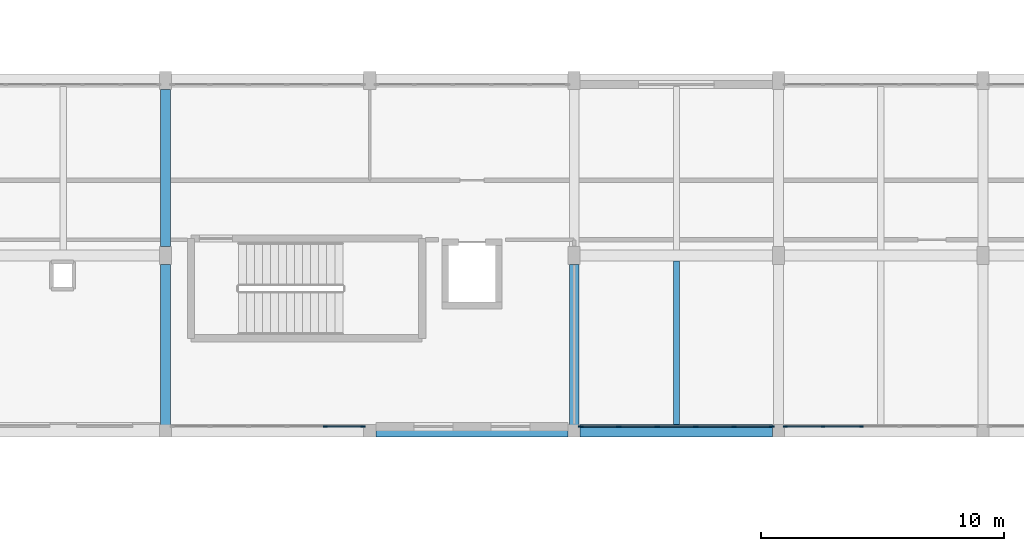
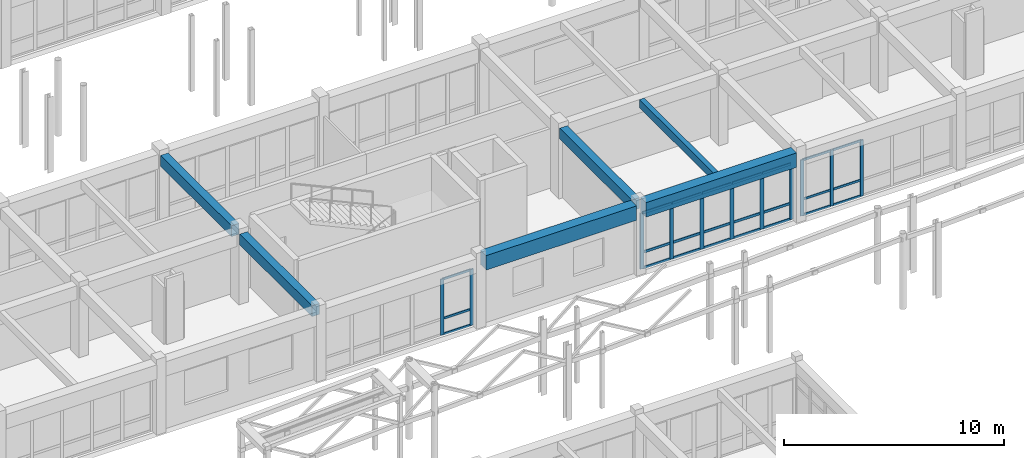
# One storey, part 39 of 147: 35 members, 6 beams, 3 elements without a shape of their own.
"""IFC4 building model written with IfcOpenShell, lengths in metres."""

from ifc_helpers import new_model, si_unit, direction, frame, origin, origin_2d, place, context, subcontext, project, spatial, rectangle, extrude, material, material_profile, profile_set, type_object, element, aggregate, save


model = new_model("IFC4")

# Units and contexts
model_context = context("Model", 3, precision=1e-05, world=origin(), true_north=direction((0.0, 1.0)))
body_context = subcontext(model_context, "Body", "Model", "MODEL_VIEW")
ifc_project = project(units=[si_unit("LENGTHUNIT", "METRE"), si_unit("AREAUNIT", "SQUARE_METRE"), si_unit("VOLUMEUNIT", "CUBIC_METRE"), si_unit("PLANEANGLEUNIT", "RADIAN"), si_unit("MASSUNIT", "GRAM", prefix="KILO")], contexts=[model_context])

# Site, building, storey
site_placement = place(None, origin())
site = spatial("IfcSite", under=ifc_project, at=site_placement, CompositionType="ELEMENT")
building_placement = place(site_placement, origin())
building = spatial("IfcBuilding", under=site, at=building_placement, Name="Malvenik Polytechnic", CompositionType="ELEMENT")
storey_placement = place(building_placement, frame((0.0, 0.0, 5.10009765625)))
storey = spatial("IfcBuildingStorey", under=building, at=storey_placement, Name="L01", CompositionType="ELEMENT", Elevation=5.10009765625)

# Curtain wall, members
ifc_material_1 = material(Name="Anodised aluminium 6060-T6", Category="aluminium")
curtain_wall_type = type_object("IfcCurtainWallType", Name="ARC-CW-CW-02", PredefinedType="NOTDEFINED", material=ifc_material_1)
curtain_wall_1_placement = place(storey_placement, origin())
curtain_wall_1 = element("IfcCurtainWall", 1, at=curtain_wall_1_placement, inside=storey, type_object=curtain_wall_type, Name="Unitised Curtain Wall CW-02 L01 #119", PredefinedType="NOTDEFINED")
ifc_material_2 = material(Name="Anodised aluminium", Category="aluminium")
ifc_material_profile_1 = material_profile(ifc_material_2, rectangle(XDim=0.06005859375, YDim=0.159912109375, at=origin_2d()), Name="ALU MULLION 60x160")
ifc_profile_set_1 = profile_set([ifc_material_profile_1], Name="Anodised aluminium")
member_type_1 = type_object("IfcMemberType", Name="ARC-CWM-160", PredefinedType="MULLION", material=ifc_profile_set_1)
member_1_placement = place(storey_placement, frame((62.209716796875, 50.570068359375, 0.0), z_axis=(0.0, 0.0, 1.0), x_axis=(0.0, -1.0, 0.0)))
member_1 = element("IfcMember", 2, at=member_1_placement, type_object=member_type_1, Name="CW-02 mullion 4", PredefinedType="MULLION", context=body_context, shape_type="SweptSolid", body=[
    extrude(rectangle(XDim=0.06005859375, YDim=0.159912109375, at=origin_2d()), origin(), (0.0, 0.0, 1.0), 3.10986328125),
])
member_2_placement = place(storey_placement, frame((60.62890625, 50.570068359375, 0.0), z_axis=(0.0, 0.0, 1.0), x_axis=(0.0, -1.0, 0.0)))
member_2 = element("IfcMember", 3, at=member_2_placement, type_object=member_type_1, Name="CW-02 mullion 5", PredefinedType="MULLION", context=body_context, shape_type="SweptSolid", body=[
    extrude(rectangle(XDim=0.06005859375, YDim=0.159912109375, at=origin_2d()), origin(), (0.0, 0.0, 1.0), 3.10986328125),
])
member_3_placement = place(storey_placement, frame((59.077880859375, 50.570068359375, 0.0), z_axis=(0.0, 0.0, 1.0), x_axis=(0.0, -1.0, 0.0)))
member_3 = element("IfcMember", 4, at=member_3_placement, type_object=member_type_1, Name="CW-02 mullion 6", PredefinedType="MULLION", context=body_context, shape_type="SweptSolid", body=[
    extrude(rectangle(XDim=0.06005859375, YDim=0.159912109375, at=origin_2d()), origin(), (0.0, 0.0, 1.0), 3.10986328125),
])

curtain_wall_2_placement = place(storey_placement, origin())
curtain_wall_2 = element("IfcCurtainWall", 5, at=curtain_wall_2_placement, inside=storey, type_object=curtain_wall_type, Name="Unitised Curtain Wall CW-02 L01 #121", PredefinedType="NOTDEFINED")
ifc_material_profile_2 = material_profile(ifc_material_2, rectangle(XDim=0.06005859375, YDim=0.179931640625, at=origin_2d()), Name="ALU MULLION 60x180")
ifc_profile_set_2 = profile_set([ifc_material_profile_2], Name="Anodised aluminium")
member_type_2 = type_object("IfcMemberType", Name="ARC-CWM-180", PredefinedType="MULLION", material=ifc_profile_set_2)
member_4_placement = place(storey_placement, frame((41.721923828125, 50.570068359375, 0.0), z_axis=(0.0, 0.0, 1.0), x_axis=(0.0, -1.0, 0.0)))
member_4 = element("IfcMember", 6, at=member_4_placement, type_object=member_type_2, Name="CW-02 mullion 1", PredefinedType="MULLION", context=body_context, shape_type="SweptSolid", body=[
    extrude(rectangle(XDim=0.06005859375, YDim=0.179931640625, at=origin_2d()), origin(), (0.0, 0.0, 1.0), 3.10986328125),
])
member_5_placement = place(storey_placement, frame((40.171142578125, 50.570068359375, 0.0), z_axis=(0.0, 0.0, 1.0), x_axis=(0.0, -1.0, 0.0)))
member_5 = element("IfcMember", 7, at=member_5_placement, type_object=member_type_2, Name="CW-02 mullion 2", PredefinedType="MULLION", context=body_context, shape_type="SweptSolid", body=[
    extrude(rectangle(XDim=0.06005859375, YDim=0.179931640625, at=origin_2d()), origin(), (0.0, 0.0, 1.0), 3.10986328125),
])

curtain_wall_3_placement = place(storey_placement, origin())
curtain_wall_3 = element("IfcCurtainWall", 8, at=curtain_wall_3_placement, inside=storey, type_object=curtain_wall_type, Name="Unitised Curtain Wall CW-02 L01 #120", PredefinedType="NOTDEFINED")
ifc_material_profile_3 = material_profile(ifc_material_2, rectangle(XDim=0.06005859375, YDim=0.199951171875, at=origin_2d()), Name="ALU MULLION 60x200")
ifc_profile_set_3 = profile_set([ifc_material_profile_3], Name="Anodised aluminium")
member_type_3 = type_object("IfcMemberType", Name="ARC-CWM-200", PredefinedType="MULLION", material=ifc_profile_set_3)
member_6_placement = place(storey_placement, frame((58.52197265625, 50.570068359375, 0.0), z_axis=(0.0, 0.0, 1.0), x_axis=(0.0, -1.0, 0.0)))
member_6 = element("IfcMember", 9, at=member_6_placement, type_object=member_type_3, Name="CW-02 mullion 1", PredefinedType="MULLION", context=body_context, shape_type="SweptSolid", body=[
    extrude(rectangle(XDim=0.06005859375, YDim=0.199951171875, at=origin_2d()), origin(), (0.0, 0.0, 1.0), 3.10986328125),
])
member_7_placement = place(storey_placement, frame((56.97119140625, 50.570068359375, 0.0), z_axis=(0.0, 0.0, 1.0), x_axis=(0.0, -1.0, 0.0)))
member_7 = element("IfcMember", 10, at=member_7_placement, type_object=member_type_3, Name="CW-02 mullion 2", PredefinedType="MULLION", context=body_context, shape_type="SweptSolid", body=[
    extrude(rectangle(XDim=0.06005859375, YDim=0.199951171875, at=origin_2d()), origin(), (0.0, 0.0, 1.0), 3.10986328125),
])
member_8_placement = place(storey_placement, frame((55.390380859375, 50.570068359375, 0.0), z_axis=(0.0, 0.0, 1.0), x_axis=(0.0, -1.0, 0.0)))
member_8 = element("IfcMember", 11, at=member_8_placement, type_object=member_type_3, Name="CW-02 mullion 3", PredefinedType="MULLION", context=body_context, shape_type="SweptSolid", body=[
    extrude(rectangle(XDim=0.06005859375, YDim=0.199951171875, at=origin_2d()), origin(), (0.0, 0.0, 1.0), 3.10986328125),
])
member_9_placement = place(storey_placement, frame((53.8095703125, 50.570068359375, 0.0), z_axis=(0.0, 0.0, 1.0), x_axis=(0.0, -1.0, 0.0)))
member_9 = element("IfcMember", 12, at=member_9_placement, type_object=member_type_3, Name="CW-02 mullion 4", PredefinedType="MULLION", context=body_context, shape_type="SweptSolid", body=[
    extrude(rectangle(XDim=0.06005859375, YDim=0.199951171875, at=origin_2d()), origin(), (0.0, 0.0, 1.0), 3.10986328125),
])
member_10_placement = place(storey_placement, frame((52.228759765625, 50.570068359375, 0.0), z_axis=(0.0, 0.0, 1.0), x_axis=(0.0, -1.0, 0.0)))
member_10 = element("IfcMember", 13, at=member_10_placement, type_object=member_type_3, Name="CW-02 mullion 5", PredefinedType="MULLION", context=body_context, shape_type="SweptSolid", body=[
    extrude(rectangle(XDim=0.06005859375, YDim=0.199951171875, at=origin_2d()), origin(), (0.0, 0.0, 1.0), 3.10986328125),
])
member_11_placement = place(storey_placement, frame((50.677978515625, 50.570068359375, 0.0), z_axis=(0.0, 0.0, 1.0), x_axis=(0.0, -1.0, 0.0)))
member_11 = element("IfcMember", 14, at=member_11_placement, type_object=member_type_3, Name="CW-02 mullion 6", PredefinedType="MULLION", context=body_context, shape_type="SweptSolid", body=[
    extrude(rectangle(XDim=0.06005859375, YDim=0.199951171875, at=origin_2d()), origin(), (0.0, 0.0, 1.0), 3.10986328125),
])

# Member
ifc_material_profile_4 = material_profile(ifc_material_2, rectangle(XDim=0.06005859375, YDim=0.1201171875, at=origin_2d()), Name="ALU TRANSOM 60x120")
ifc_profile_set_4 = profile_set([ifc_material_profile_4], Name="Anodised aluminium")
member_type_4 = type_object("IfcMemberType", Name="ARC-CWT-120", PredefinedType="USERDEFINED", material=ifc_profile_set_4)
member_12_placement = place(storey_placement, frame((62.1796875, 50.570068359375, 0.02978515625), z_axis=(-1.0, 0.0, 0.0), x_axis=(0.0, -1.0, 0.0)))
member_12 = element("IfcMember", 15, at=member_12_placement, type_object=member_type_4, Name="CW-02 transom 4.1", ObjectType="TRANSOM", PredefinedType="USERDEFINED", context=body_context, shape_type="SweptSolid", body=[
    extrude(rectangle(XDim=0.06005859375, YDim=0.1201171875, at=origin_2d()), origin(), (0.0, 0.0, 1.0), 1.52099609375),
])

member_13_placement = place(storey_placement, frame((62.1796875, 50.570068359375, 0.89990234375), z_axis=(-1.0, 0.0, 0.0), x_axis=(0.0, -1.0, 0.0)))
member_13 = element("IfcMember", 16, at=member_13_placement, type_object=member_type_4, Name="CW-02 transom 4.2", ObjectType="TRANSOM", PredefinedType="USERDEFINED", context=body_context, shape_type="SweptSolid", body=[
    extrude(rectangle(XDim=0.06005859375, YDim=0.1201171875, at=origin_2d()), origin(), (0.0, 0.0, 1.0), 1.52099609375),
])

member_14_placement = place(storey_placement, frame((62.1796875, 50.570068359375, 3.079833984375), z_axis=(-1.0, 0.0, 0.0), x_axis=(0.0, -1.0, 0.0)))
member_14 = element("IfcMember", 17, at=member_14_placement, type_object=member_type_4, Name="CW-02 transom 4.3", ObjectType="TRANSOM", PredefinedType="USERDEFINED", context=body_context, shape_type="SweptSolid", body=[
    extrude(rectangle(XDim=0.06005859375, YDim=0.1201171875, at=origin_2d()), origin(), (0.0, 0.0, 1.0), 1.52099609375),
])

member_15_placement = place(storey_placement, frame((60.598876953125, 50.570068359375, 0.02978515625), z_axis=(-1.0, 0.0, 0.0), x_axis=(0.0, -1.0, 0.0)))
member_15 = element("IfcMember", 18, at=member_15_placement, type_object=member_type_4, Name="CW-02 transom 5.1", ObjectType="TRANSOM", PredefinedType="USERDEFINED", context=body_context, shape_type="SweptSolid", body=[
    extrude(rectangle(XDim=0.06005859375, YDim=0.1201171875, at=origin_2d()), origin(), (0.0, 0.0, 1.0), 1.490966796875),
])

member_16_placement = place(storey_placement, frame((60.598876953125, 50.570068359375, 0.89990234375), z_axis=(-1.0, 0.0, 0.0), x_axis=(0.0, -1.0, 0.0)))
member_16 = element("IfcMember", 19, at=member_16_placement, type_object=member_type_4, Name="CW-02 transom 5.2", ObjectType="TRANSOM", PredefinedType="USERDEFINED", context=body_context, shape_type="SweptSolid", body=[
    extrude(rectangle(XDim=0.06005859375, YDim=0.1201171875, at=origin_2d()), origin(), (0.0, 0.0, 1.0), 1.490966796875),
])

member_17_placement = place(storey_placement, frame((60.598876953125, 50.570068359375, 3.079833984375), z_axis=(-1.0, 0.0, 0.0), x_axis=(0.0, -1.0, 0.0)))
member_17 = element("IfcMember", 20, at=member_17_placement, type_object=member_type_4, Name="CW-02 transom 5.3", ObjectType="TRANSOM", PredefinedType="USERDEFINED", context=body_context, shape_type="SweptSolid", body=[
    extrude(rectangle(XDim=0.06005859375, YDim=0.1201171875, at=origin_2d()), origin(), (0.0, 0.0, 1.0), 1.490966796875),
])

aggregate(curtain_wall_1, [member_1, member_2, member_3, member_12, member_13, member_14, member_15, member_16, member_17])

member_18_placement = place(storey_placement, frame((41.69189453125, 50.570068359375, 0.02978515625), z_axis=(-1.0, 0.0, 0.0), x_axis=(0.0, -1.0, 0.0)))
member_18 = element("IfcMember", 21, at=member_18_placement, type_object=member_type_4, Name="CW-02 transom 1.1", ObjectType="TRANSOM", PredefinedType="USERDEFINED", context=body_context, shape_type="SweptSolid", body=[
    extrude(rectangle(XDim=0.06005859375, YDim=0.1201171875, at=origin_2d()), origin(), (0.0, 0.0, 1.0), 1.49072265625),
])

member_19_placement = place(storey_placement, frame((41.69189453125, 50.570068359375, 0.89990234375), z_axis=(-1.0, 0.0, 0.0), x_axis=(0.0, -1.0, 0.0)))
member_19 = element("IfcMember", 22, at=member_19_placement, type_object=member_type_4, Name="CW-02 transom 1.2", ObjectType="TRANSOM", PredefinedType="USERDEFINED", context=body_context, shape_type="SweptSolid", body=[
    extrude(rectangle(XDim=0.06005859375, YDim=0.1201171875, at=origin_2d()), origin(), (0.0, 0.0, 1.0), 1.49072265625),
])

member_20_placement = place(storey_placement, frame((41.69189453125, 50.570068359375, 3.079833984375), z_axis=(-1.0, 0.0, 0.0), x_axis=(0.0, -1.0, 0.0)))
member_20 = element("IfcMember", 23, at=member_20_placement, type_object=member_type_4, Name="CW-02 transom 1.3", ObjectType="TRANSOM", PredefinedType="USERDEFINED", context=body_context, shape_type="SweptSolid", body=[
    extrude(rectangle(XDim=0.06005859375, YDim=0.1201171875, at=origin_2d()), origin(), (0.0, 0.0, 1.0), 1.49072265625),
])

aggregate(curtain_wall_2, [member_4, member_5, member_18, member_19, member_20])

ifc_material_profile_5 = material_profile(ifc_material_2, rectangle(XDim=0.06005859375, YDim=0.139892578125, at=origin_2d()), Name="ALU TRANSOM 60x140")
ifc_profile_set_5 = profile_set([ifc_material_profile_5], Name="Anodised aluminium")
member_type_5 = type_object("IfcMemberType", Name="ARC-CWT-140", PredefinedType="USERDEFINED", material=ifc_profile_set_5)
member_21_placement = place(storey_placement, frame((58.491943359375, 50.570068359375, 0.02978515625), z_axis=(-1.0, 0.0, 0.0), x_axis=(0.0, -1.0, 0.0)))
member_21 = element("IfcMember", 24, at=member_21_placement, type_object=member_type_5, Name="CW-02 transom 1.1", ObjectType="TRANSOM", PredefinedType="USERDEFINED", context=body_context, shape_type="SweptSolid", body=[
    extrude(rectangle(XDim=0.06005859375, YDim=0.139892578125, at=origin_2d()), origin(), (0.0, 0.0, 1.0), 1.49072265625),
])

member_22_placement = place(storey_placement, frame((58.491943359375, 50.570068359375, 0.89990234375), z_axis=(-1.0, 0.0, 0.0), x_axis=(0.0, -1.0, 0.0)))
member_22 = element("IfcMember", 25, at=member_22_placement, type_object=member_type_5, Name="CW-02 transom 1.2", ObjectType="TRANSOM", PredefinedType="USERDEFINED", context=body_context, shape_type="SweptSolid", body=[
    extrude(rectangle(XDim=0.06005859375, YDim=0.139892578125, at=origin_2d()), origin(), (0.0, 0.0, 1.0), 1.49072265625),
])

member_23_placement = place(storey_placement, frame((58.491943359375, 50.570068359375, 3.079833984375), z_axis=(-1.0, 0.0, 0.0), x_axis=(0.0, -1.0, 0.0)))
member_23 = element("IfcMember", 26, at=member_23_placement, type_object=member_type_5, Name="CW-02 transom 1.3", ObjectType="TRANSOM", PredefinedType="USERDEFINED", context=body_context, shape_type="SweptSolid", body=[
    extrude(rectangle(XDim=0.06005859375, YDim=0.139892578125, at=origin_2d()), origin(), (0.0, 0.0, 1.0), 1.49072265625),
])

member_24_placement = place(storey_placement, frame((56.941162109375, 50.570068359375, 0.02978515625), z_axis=(-1.0, 0.0, 0.0), x_axis=(0.0, -1.0, 0.0)))
member_24 = element("IfcMember", 27, at=member_24_placement, type_object=member_type_5, Name="CW-02 transom 2.1", ObjectType="TRANSOM", PredefinedType="USERDEFINED", context=body_context, shape_type="SweptSolid", body=[
    extrude(rectangle(XDim=0.06005859375, YDim=0.139892578125, at=origin_2d()), origin(), (0.0, 0.0, 1.0), 1.520751953125),
])

member_25_placement = place(storey_placement, frame((56.941162109375, 50.570068359375, 0.89990234375), z_axis=(-1.0, 0.0, 0.0), x_axis=(0.0, -1.0, 0.0)))
member_25 = element("IfcMember", 28, at=member_25_placement, type_object=member_type_5, Name="CW-02 transom 2.2", ObjectType="TRANSOM", PredefinedType="USERDEFINED", context=body_context, shape_type="SweptSolid", body=[
    extrude(rectangle(XDim=0.06005859375, YDim=0.139892578125, at=origin_2d()), origin(), (0.0, 0.0, 1.0), 1.520751953125),
])

member_26_placement = place(storey_placement, frame((56.941162109375, 50.570068359375, 3.079833984375), z_axis=(-1.0, 0.0, 0.0), x_axis=(0.0, -1.0, 0.0)))
member_26 = element("IfcMember", 29, at=member_26_placement, type_object=member_type_5, Name="CW-02 transom 2.3", ObjectType="TRANSOM", PredefinedType="USERDEFINED", context=body_context, shape_type="SweptSolid", body=[
    extrude(rectangle(XDim=0.06005859375, YDim=0.139892578125, at=origin_2d()), origin(), (0.0, 0.0, 1.0), 1.520751953125),
])

member_27_placement = place(storey_placement, frame((55.3603515625, 50.570068359375, 0.02978515625), z_axis=(-1.0, 0.0, 0.0), x_axis=(0.0, -1.0, 0.0)))
member_27 = element("IfcMember", 30, at=member_27_placement, type_object=member_type_5, Name="CW-02 transom 3.1", ObjectType="TRANSOM", PredefinedType="USERDEFINED", context=body_context, shape_type="SweptSolid", body=[
    extrude(rectangle(XDim=0.06005859375, YDim=0.139892578125, at=origin_2d()), origin(), (0.0, 0.0, 1.0), 1.520751953125),
])

member_28_placement = place(storey_placement, frame((55.3603515625, 50.570068359375, 0.89990234375), z_axis=(-1.0, 0.0, 0.0), x_axis=(0.0, -1.0, 0.0)))
member_28 = element("IfcMember", 31, at=member_28_placement, type_object=member_type_5, Name="CW-02 transom 3.2", ObjectType="TRANSOM", PredefinedType="USERDEFINED", context=body_context, shape_type="SweptSolid", body=[
    extrude(rectangle(XDim=0.06005859375, YDim=0.139892578125, at=origin_2d()), origin(), (0.0, 0.0, 1.0), 1.520751953125),
])

member_29_placement = place(storey_placement, frame((55.3603515625, 50.570068359375, 3.079833984375), z_axis=(-1.0, 0.0, 0.0), x_axis=(0.0, -1.0, 0.0)))
member_29 = element("IfcMember", 32, at=member_29_placement, type_object=member_type_5, Name="CW-02 transom 3.3", ObjectType="TRANSOM", PredefinedType="USERDEFINED", context=body_context, shape_type="SweptSolid", body=[
    extrude(rectangle(XDim=0.06005859375, YDim=0.139892578125, at=origin_2d()), origin(), (0.0, 0.0, 1.0), 1.520751953125),
])

member_30_placement = place(storey_placement, frame((53.779541015625, 50.570068359375, 0.02978515625), z_axis=(-1.0, 0.0, 0.0), x_axis=(0.0, -1.0, 0.0)))
member_30 = element("IfcMember", 33, at=member_30_placement, type_object=member_type_5, Name="CW-02 transom 4.1", ObjectType="TRANSOM", PredefinedType="USERDEFINED", context=body_context, shape_type="SweptSolid", body=[
    extrude(rectangle(XDim=0.06005859375, YDim=0.139892578125, at=origin_2d()), origin(), (0.0, 0.0, 1.0), 1.520751953125),
])

member_31_placement = place(storey_placement, frame((53.779541015625, 50.570068359375, 0.89990234375), z_axis=(-1.0, 0.0, 0.0), x_axis=(0.0, -1.0, 0.0)))
member_31 = element("IfcMember", 34, at=member_31_placement, type_object=member_type_5, Name="CW-02 transom 4.2", ObjectType="TRANSOM", PredefinedType="USERDEFINED", context=body_context, shape_type="SweptSolid", body=[
    extrude(rectangle(XDim=0.06005859375, YDim=0.139892578125, at=origin_2d()), origin(), (0.0, 0.0, 1.0), 1.520751953125),
])

member_32_placement = place(storey_placement, frame((53.779541015625, 50.570068359375, 3.079833984375), z_axis=(-1.0, 0.0, 0.0), x_axis=(0.0, -1.0, 0.0)))
member_32 = element("IfcMember", 35, at=member_32_placement, type_object=member_type_5, Name="CW-02 transom 4.3", ObjectType="TRANSOM", PredefinedType="USERDEFINED", context=body_context, shape_type="SweptSolid", body=[
    extrude(rectangle(XDim=0.06005859375, YDim=0.139892578125, at=origin_2d()), origin(), (0.0, 0.0, 1.0), 1.520751953125),
])

member_33_placement = place(storey_placement, frame((52.19873046875, 50.570068359375, 0.02978515625), z_axis=(-1.0, 0.0, 0.0), x_axis=(0.0, -1.0, 0.0)))
member_33 = element("IfcMember", 36, at=member_33_placement, type_object=member_type_5, Name="CW-02 transom 5.1", ObjectType="TRANSOM", PredefinedType="USERDEFINED", context=body_context, shape_type="SweptSolid", body=[
    extrude(rectangle(XDim=0.06005859375, YDim=0.139892578125, at=origin_2d()), origin(), (0.0, 0.0, 1.0), 1.49072265625),
])

member_34_placement = place(storey_placement, frame((52.19873046875, 50.570068359375, 0.89990234375), z_axis=(-1.0, 0.0, 0.0), x_axis=(0.0, -1.0, 0.0)))
member_34 = element("IfcMember", 37, at=member_34_placement, type_object=member_type_5, Name="CW-02 transom 5.2", ObjectType="TRANSOM", PredefinedType="USERDEFINED", context=body_context, shape_type="SweptSolid", body=[
    extrude(rectangle(XDim=0.06005859375, YDim=0.139892578125, at=origin_2d()), origin(), (0.0, 0.0, 1.0), 1.49072265625),
])

member_35_placement = place(storey_placement, frame((52.19873046875, 50.570068359375, 3.079833984375), z_axis=(-1.0, 0.0, 0.0), x_axis=(0.0, -1.0, 0.0)))
member_35 = element("IfcMember", 38, at=member_35_placement, type_object=member_type_5, Name="CW-02 transom 5.3", ObjectType="TRANSOM", PredefinedType="USERDEFINED", context=body_context, shape_type="SweptSolid", body=[
    extrude(rectangle(XDim=0.06005859375, YDim=0.139892578125, at=origin_2d()), origin(), (0.0, 0.0, 1.0), 1.49072265625),
])

aggregate(curtain_wall_3, [member_6, member_7, member_8, member_9, member_10, member_11, member_21, member_22, member_23, member_24, member_25, member_26, member_27, member_28, member_29, member_30, member_31, member_32, member_33, member_34, member_35])

# Beams
ifc_material_3 = material(Name="Concrete C35/45", Category="concrete")
ifc_material_profile_6 = material_profile(ifc_material_3, rectangle(XDim=0.39990234375, YDim=0.60009765625, at=origin_2d()), Name="RC BM 400x600")
ifc_profile_set_6 = profile_set([ifc_material_profile_6], Name="Concrete C35/45")
beam_type_1 = type_object("IfcBeamType", Name="STR-BM-B-06", PredefinedType="BEAM", material=ifc_profile_set_6)
beam_1_placement = place(storey_placement, frame((33.60009765625, 50.64794921875, 3.619873046875), z_axis=(0.0, 1.0, 0.0), x_axis=(-1.0, 0.0, 0.0)))
element("IfcBeam", 39, at=beam_1_placement, inside=storey, type_object=beam_type_1, Name="Transverse Beam B-06 L01 #1147", PredefinedType="BEAM", context=body_context, shape_type="SweptSolid", body=[
    extrude(rectangle(XDim=0.39990234375, YDim=0.60009765625, at=origin_2d()), origin(), (0.0, 0.0, 1.0), 6.5791015625),
])
beam_2_placement = place(storey_placement, frame((33.60009765625, 57.972900390625, 3.619873046875), z_axis=(0.0, 1.0, 0.0), x_axis=(-1.0, 0.0, 0.0)))
element("IfcBeam", 40, at=beam_2_placement, inside=storey, type_object=beam_type_1, Name="Transverse Beam B-06 L01 #1148", PredefinedType="BEAM", context=body_context, shape_type="SweptSolid", body=[
    extrude(rectangle(XDim=0.39990234375, YDim=0.60009765625, at=origin_2d()), origin(), (0.0, 0.0, 1.0), 6.4541015625),
])
beam_3_placement = place(storey_placement, frame((50.39990234375, 50.64794921875, 3.619873046875), z_axis=(0.0, 1.0, 0.0), x_axis=(-1.0, 0.0, 0.0)))
element("IfcBeam", 41, at=beam_3_placement, inside=storey, type_object=beam_type_1, Name="Transverse Beam B-06 L01 #1161", PredefinedType="BEAM", context=body_context, shape_type="SweptSolid", body=[
    extrude(rectangle(XDim=0.39990234375, YDim=0.60009765625, at=origin_2d()), origin(), (0.0, 0.0, 1.0), 6.5791015625),
])
ifc_material_4 = material(Name="Concrete C30/37", Category="concrete")
ifc_material_profile_7 = material_profile(ifc_material_4, rectangle(XDim=0.25, YDim=0.449951171875, at=origin_2d()), Name="RC JST 250x450")
ifc_profile_set_7 = profile_set([ifc_material_profile_7], Name="Concrete C30/37")
beam_type_2 = type_object("IfcBeamType", Name="STR-BM-J-02", PredefinedType="JOIST", material=ifc_profile_set_7)
beam_4_placement = place(storey_placement, frame((54.60009765625, 50.657958984375, 3.69482421875), z_axis=(0.0, 1.0, 0.0), x_axis=(-1.0, 0.0, 0.0)))
element("IfcBeam", 42, at=beam_4_placement, inside=storey, type_object=beam_type_2, Name="Secondary Rib Joist J-02 L01 #1273", PredefinedType="JOIST", context=body_context, shape_type="SweptSolid", body=[
    extrude(rectangle(XDim=0.25, YDim=0.449951171875, at=origin_2d()), origin(), (0.0, 0.0, 1.0), 6.718994140625),
])
ifc_material_5 = material(Name="Precast concrete C40/50", Category="concrete")
ifc_material_profile_8 = material_profile(ifc_material_5, rectangle(XDim=0.52001953125, YDim=0.800048828125, at=origin_2d()), Name="PC SPN 520x800")
ifc_profile_set_8 = profile_set([ifc_material_profile_8], Name="Precast concrete C40/50")
beam_type_3 = type_object("IfcBeamType", Name="STR-BM-SP-01", PredefinedType="SPANDREL", material=ifc_profile_set_8)
for number, where, z_axis, x_axis, name in (
    (43, (42.248046875, 50.39990234375, 3.52001953125), (1.0, 0.0, 0.0), (0.0, 1.0, 0.0), "Primary Beam SP-01 L01 #1004"),
    (44, (50.64794921875, 50.39990234375, 3.52001953125), (1.0, 0.0, 0.0), (0.0, 1.0, 0.0), "Primary Beam SP-01 L01 #1005"),
):
    element("IfcBeam", number, at=place(storey_placement, frame(where, z_axis=z_axis, x_axis=x_axis)), inside=storey, type_object=beam_type_3, Name=name, PredefinedType="SPANDREL", context=body_context, shape_type="SweptSolid", body=[
        extrude(rectangle(XDim=0.52001953125, YDim=0.800048828125, at=origin_2d()), origin(), (0.0, 0.0, 1.0), 7.904052734375),
    ])

save(model, "model.ifc")
